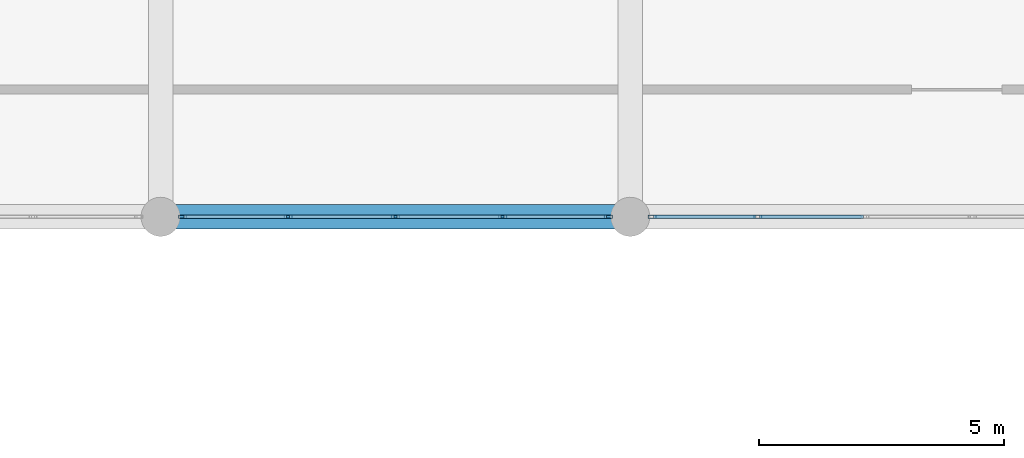
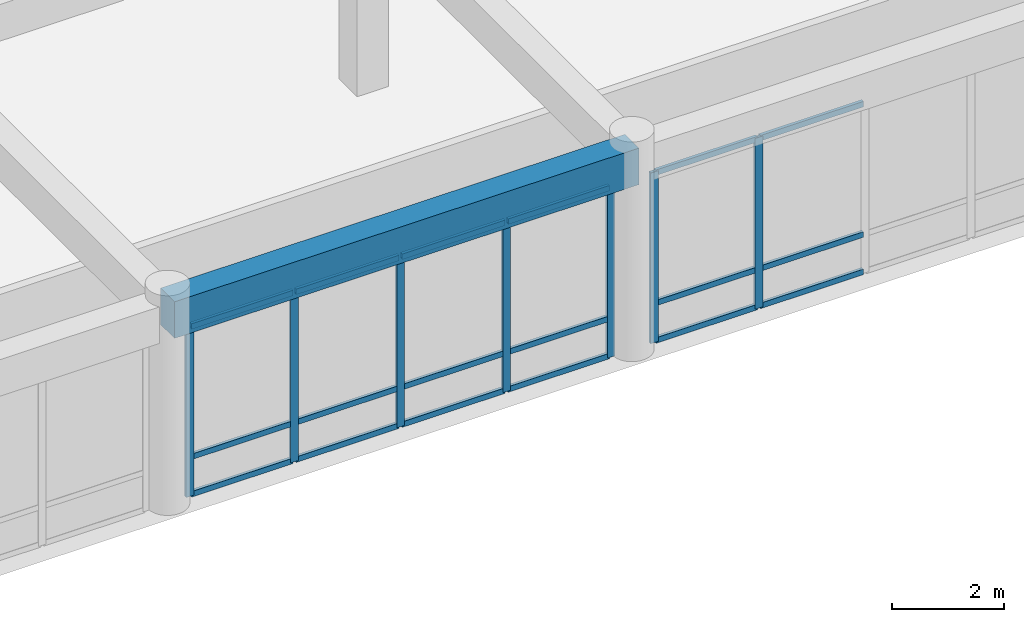
# One storey, part 22 of 101: 25 members, 1 beam, 2 elements without a shape of their own.
"""IFC4 building model written with IfcOpenShell, lengths in metres."""

from ifc_helpers import new_model, si_unit, direction, frame, origin, origin_2d, place, context, subcontext, project, spatial, rectangle, hollow_rectangle, extrude, material, layer, layer_set, material_profile, profile_set, type_object, element, aggregate, save


model = new_model("IFC4")

# Units and contexts
model_context = context("Model", 3, precision=1e-05, world=origin(), true_north=direction((0.0, 1.0)))
body_context = subcontext(model_context, "Body", "Model", "MODEL_VIEW")
ifc_project = project(units=[si_unit("LENGTHUNIT", "METRE"), si_unit("AREAUNIT", "SQUARE_METRE"), si_unit("VOLUMEUNIT", "CUBIC_METRE"), si_unit("PLANEANGLEUNIT", "RADIAN"), si_unit("MASSUNIT", "GRAM", prefix="KILO")], contexts=[model_context])

# Site, building, storey
site_placement = place(None, origin())
site = spatial("IfcSite", under=ifc_project, at=site_placement, CompositionType="ELEMENT")
building_placement = place(site_placement, origin())
building = spatial("IfcBuilding", under=site, at=building_placement, Name="Nakhvara Creek Congress Hotel", CompositionType="ELEMENT")
storey_placement = place(building_placement, frame((0.0, 0.0, 16.199951171875)))
storey = spatial("IfcBuildingStorey", under=building, at=storey_placement, Name="L03", CompositionType="ELEMENT", Elevation=16.199951171875)

# Beam
ifc_material_1 = material(Name="Concrete C40/50", Category="concrete")
ifc_material_profile_1 = material_profile(ifc_material_1, rectangle(XDim=0.5, YDim=0.800048828125, at=origin_2d()), Name="RC-BM 500x800", Category="LoadBearing")
ifc_profile_set_1 = profile_set([ifc_material_profile_1], Name="Concrete C40/50")
beam_type = type_object("IfcBeamType", Name="BM-RC-500X800", PredefinedType="BEAM", material=ifc_profile_set_1)
beam_placement = place(storey_placement, frame((96.0, 76.800048828125, 4.14013671875), z_axis=(1.0, 0.0, 0.0), x_axis=(0.0, 1.0, 0.0)))
element("IfcBeam", 1, at=beam_placement, inside=storey, type_object=beam_type, Name="Beam B03-L03-1733", PredefinedType="BEAM", context=body_context, shape_type="SweptSolid", body=[
    extrude(rectangle(XDim=0.5, YDim=0.800048828125, at=origin_2d()), origin(), (0.0, 0.0, 1.0), 9.60009765625),
])

# Curtain wall, members
ifc_material_2 = material(Name="Bronze-anodised aluminium AW-6063-T6 and double-silver low-E glass", Category="aluminium")
ifc_layer = layer(ifc_material_2, 0.199951171875)
ifc_layer_set = layer_set([ifc_layer], Name="Bronze-anodised aluminium AW-6063-T6 and double-silver low-E glass")
curtain_wall_type = type_object("IfcCurtainWallType", Name="CW-POD-STICK", PredefinedType="NOTDEFINED", material=ifc_layer_set)
curtain_wall_1_placement = place(storey_placement, origin())
curtain_wall_1 = element("IfcCurtainWall", 2, at=curtain_wall_1_placement, inside=storey, type_object=curtain_wall_type, Name="Curtain Wall CW054", PredefinedType="NOTDEFINED")
ifc_material_3 = material(Name="Bronze-anodised aluminium AW-6063-T6", Category="aluminium")
ifc_material_profile_2 = material_profile(ifc_material_3, hollow_rectangle(XDim=0.06494140625, YDim=0.159912109375, WallThickness=0.00390625, at=origin_2d()), Name="ALU-MULL 65x160x4", Category="LoadBearing")
ifc_profile_set_2 = profile_set([ifc_material_profile_2], Name="Bronze-anodised aluminium AW-6063-T6")
member_type_1 = type_object("IfcMemberType", Name="CW-MULL-160", PredefinedType="MULLION", material=ifc_profile_set_2)
member_1_placement = place(storey_placement, frame((105.152587890625, 76.800048828125, 0.0), z_axis=(0.0, 0.0, 1.0), x_axis=(0.0, -1.0, 0.0)))
member_1 = element("IfcMember", 3, at=member_1_placement, type_object=member_type_1, Name="CW054 mullion 1", PredefinedType="MULLION", context=body_context, shape_type="SweptSolid", body=[
    extrude(hollow_rectangle(XDim=0.06494140625, YDim=0.159912109375, WallThickness=0.00390625, at=origin_2d()), origin(), (0.0, 0.0, 1.0), 3.73193359375),
])
member_2_placement = place(storey_placement, frame((102.992431640625, 76.800048828125, 0.0), z_axis=(0.0, 0.0, 1.0), x_axis=(0.0, -1.0, 0.0)))
member_2 = element("IfcMember", 4, at=member_2_placement, type_object=member_type_1, Name="CW054 mullion 2", PredefinedType="MULLION", context=body_context, shape_type="SweptSolid", body=[
    extrude(hollow_rectangle(XDim=0.06494140625, YDim=0.159912109375, WallThickness=0.00390625, at=origin_2d()), origin(), (0.0, 0.0, 1.0), 3.73193359375),
])
member_3_placement = place(storey_placement, frame((100.800048828125, 76.800048828125, 0.0), z_axis=(0.0, 0.0, 1.0), x_axis=(0.0, -1.0, 0.0)))
member_3 = element("IfcMember", 5, at=member_3_placement, type_object=member_type_1, Name="CW054 mullion 3", PredefinedType="MULLION", context=body_context, shape_type="SweptSolid", body=[
    extrude(hollow_rectangle(XDim=0.06494140625, YDim=0.159912109375, WallThickness=0.00390625, at=origin_2d()), origin(), (0.0, 0.0, 1.0), 3.73193359375),
])
member_4_placement = place(storey_placement, frame((98.607421875, 76.800048828125, 0.0), z_axis=(0.0, 0.0, 1.0), x_axis=(0.0, -1.0, 0.0)))
member_4 = element("IfcMember", 6, at=member_4_placement, type_object=member_type_1, Name="CW054 mullion 4", PredefinedType="MULLION", context=body_context, shape_type="SweptSolid", body=[
    extrude(hollow_rectangle(XDim=0.06494140625, YDim=0.159912109375, WallThickness=0.00390625, at=origin_2d()), origin(), (0.0, 0.0, 1.0), 3.73193359375),
])
member_5_placement = place(storey_placement, frame((96.447509765625, 76.800048828125, 0.0), z_axis=(0.0, 0.0, 1.0), x_axis=(0.0, -1.0, 0.0)))
member_5 = element("IfcMember", 7, at=member_5_placement, type_object=member_type_1, Name="CW054 mullion 5", PredefinedType="MULLION", context=body_context, shape_type="SweptSolid", body=[
    extrude(hollow_rectangle(XDim=0.06494140625, YDim=0.159912109375, WallThickness=0.00390625, at=origin_2d()), origin(), (0.0, 0.0, 1.0), 3.73193359375),
])

curtain_wall_2_placement = place(storey_placement, origin())
curtain_wall_2 = element("IfcCurtainWall", 8, at=curtain_wall_2_placement, inside=storey, type_object=curtain_wall_type, Name="Curtain Wall CW056", PredefinedType="NOTDEFINED")
member_6_placement = place(storey_placement, frame((108.20751953125, 76.800048828125, 0.0), z_axis=(0.0, 0.0, 1.0), x_axis=(0.0, -1.0, 0.0)))
member_6 = element("IfcMember", 9, at=member_6_placement, type_object=member_type_1, Name="CW056 mullion 4", PredefinedType="MULLION", context=body_context, shape_type="SweptSolid", body=[
    extrude(hollow_rectangle(XDim=0.06494140625, YDim=0.159912109375, WallThickness=0.00390625, at=origin_2d()), origin(), (0.0, 0.0, 1.0), 3.73193359375),
])
member_7_placement = place(storey_placement, frame((106.047607421875, 76.800048828125, 0.0), z_axis=(0.0, 0.0, 1.0), x_axis=(0.0, -1.0, 0.0)))
member_7 = element("IfcMember", 10, at=member_7_placement, type_object=member_type_1, Name="CW056 mullion 5", PredefinedType="MULLION", context=body_context, shape_type="SweptSolid", body=[
    extrude(hollow_rectangle(XDim=0.06494140625, YDim=0.159912109375, WallThickness=0.00390625, at=origin_2d()), origin(), (0.0, 0.0, 1.0), 3.73193359375),
])

# Member
ifc_material_profile_3 = material_profile(ifc_material_3, hollow_rectangle(XDim=0.06494140625, YDim=0.1201171875, WallThickness=0.00390625, at=origin_2d()), Name="ALU-TRAN 65x120x4", Category="LoadBearing")
ifc_profile_set_3 = profile_set([ifc_material_profile_3], Name="Bronze-anodised aluminium AW-6063-T6")
member_type_2 = type_object("IfcMemberType", Name="CW-TRAN-120", PredefinedType="USERDEFINED", material=ifc_profile_set_3)
member_8_placement = place(storey_placement, frame((105.1201171875, 76.800048828125, 0.032470703125), z_axis=(-1.0, 0.0, 0.0), x_axis=(0.0, -1.0, 0.0)))
member_8 = element("IfcMember", 11, at=member_8_placement, type_object=member_type_2, Name="CW054 transom 1.1", ObjectType="TRANSOM", PredefinedType="USERDEFINED", context=body_context, shape_type="SweptSolid", body=[
    extrude(hollow_rectangle(XDim=0.06494140625, YDim=0.1201171875, WallThickness=0.00390625, at=origin_2d()), origin(), (0.0, 0.0, 1.0), 2.09521484375),
])

member_9_placement = place(storey_placement, frame((105.1201171875, 76.800048828125, 0.85009765625), z_axis=(-1.0, 0.0, 0.0), x_axis=(0.0, -1.0, 0.0)))
member_9 = element("IfcMember", 12, at=member_9_placement, type_object=member_type_2, Name="CW054 transom 1.2", ObjectType="TRANSOM", PredefinedType="USERDEFINED", context=body_context, shape_type="SweptSolid", body=[
    extrude(hollow_rectangle(XDim=0.06494140625, YDim=0.1201171875, WallThickness=0.00390625, at=origin_2d()), origin(), (0.0, 0.0, 1.0), 2.09521484375),
])

member_10_placement = place(storey_placement, frame((105.1201171875, 76.800048828125, 3.699462890625), z_axis=(-1.0, 0.0, 0.0), x_axis=(0.0, -1.0, 0.0)))
member_10 = element("IfcMember", 13, at=member_10_placement, type_object=member_type_2, Name="CW054 transom 1.3", ObjectType="TRANSOM", PredefinedType="USERDEFINED", context=body_context, shape_type="SweptSolid", body=[
    extrude(hollow_rectangle(XDim=0.06494140625, YDim=0.1201171875, WallThickness=0.00390625, at=origin_2d()), origin(), (0.0, 0.0, 1.0), 2.09521484375),
])

member_11_placement = place(storey_placement, frame((102.9599609375, 76.800048828125, 0.032470703125), z_axis=(-1.0, 0.0, 0.0), x_axis=(0.0, -1.0, 0.0)))
member_11 = element("IfcMember", 14, at=member_11_placement, type_object=member_type_2, Name="CW054 transom 2.1", ObjectType="TRANSOM", PredefinedType="USERDEFINED", context=body_context, shape_type="SweptSolid", body=[
    extrude(hollow_rectangle(XDim=0.06494140625, YDim=0.1201171875, WallThickness=0.00390625, at=origin_2d()), origin(), (0.0, 0.0, 1.0), 2.12744140625),
])

member_12_placement = place(storey_placement, frame((102.9599609375, 76.800048828125, 0.85009765625), z_axis=(-1.0, 0.0, 0.0), x_axis=(0.0, -1.0, 0.0)))
member_12 = element("IfcMember", 15, at=member_12_placement, type_object=member_type_2, Name="CW054 transom 2.2", ObjectType="TRANSOM", PredefinedType="USERDEFINED", context=body_context, shape_type="SweptSolid", body=[
    extrude(hollow_rectangle(XDim=0.06494140625, YDim=0.1201171875, WallThickness=0.00390625, at=origin_2d()), origin(), (0.0, 0.0, 1.0), 2.12744140625),
])

member_13_placement = place(storey_placement, frame((102.9599609375, 76.800048828125, 3.699462890625), z_axis=(-1.0, 0.0, 0.0), x_axis=(0.0, -1.0, 0.0)))
member_13 = element("IfcMember", 16, at=member_13_placement, type_object=member_type_2, Name="CW054 transom 2.3", ObjectType="TRANSOM", PredefinedType="USERDEFINED", context=body_context, shape_type="SweptSolid", body=[
    extrude(hollow_rectangle(XDim=0.06494140625, YDim=0.1201171875, WallThickness=0.00390625, at=origin_2d()), origin(), (0.0, 0.0, 1.0), 2.12744140625),
])

member_14_placement = place(storey_placement, frame((100.767578125, 76.800048828125, 0.032470703125), z_axis=(-1.0, 0.0, 0.0), x_axis=(0.0, -1.0, 0.0)))
member_14 = element("IfcMember", 17, at=member_14_placement, type_object=member_type_2, Name="CW054 transom 3.1", ObjectType="TRANSOM", PredefinedType="USERDEFINED", context=body_context, shape_type="SweptSolid", body=[
    extrude(hollow_rectangle(XDim=0.06494140625, YDim=0.1201171875, WallThickness=0.00390625, at=origin_2d()), origin(), (0.0, 0.0, 1.0), 2.127685546875),
])

member_15_placement = place(storey_placement, frame((100.767578125, 76.800048828125, 0.85009765625), z_axis=(-1.0, 0.0, 0.0), x_axis=(0.0, -1.0, 0.0)))
member_15 = element("IfcMember", 18, at=member_15_placement, type_object=member_type_2, Name="CW054 transom 3.2", ObjectType="TRANSOM", PredefinedType="USERDEFINED", context=body_context, shape_type="SweptSolid", body=[
    extrude(hollow_rectangle(XDim=0.06494140625, YDim=0.1201171875, WallThickness=0.00390625, at=origin_2d()), origin(), (0.0, 0.0, 1.0), 2.127685546875),
])

member_16_placement = place(storey_placement, frame((100.767578125, 76.800048828125, 3.699462890625), z_axis=(-1.0, 0.0, 0.0), x_axis=(0.0, -1.0, 0.0)))
member_16 = element("IfcMember", 19, at=member_16_placement, type_object=member_type_2, Name="CW054 transom 3.3", ObjectType="TRANSOM", PredefinedType="USERDEFINED", context=body_context, shape_type="SweptSolid", body=[
    extrude(hollow_rectangle(XDim=0.06494140625, YDim=0.1201171875, WallThickness=0.00390625, at=origin_2d()), origin(), (0.0, 0.0, 1.0), 2.127685546875),
])

member_17_placement = place(storey_placement, frame((98.574951171875, 76.800048828125, 0.032470703125), z_axis=(-1.0, 0.0, 0.0), x_axis=(0.0, -1.0, 0.0)))
member_17 = element("IfcMember", 20, at=member_17_placement, type_object=member_type_2, Name="CW054 transom 4.1", ObjectType="TRANSOM", PredefinedType="USERDEFINED", context=body_context, shape_type="SweptSolid", body=[
    extrude(hollow_rectangle(XDim=0.06494140625, YDim=0.1201171875, WallThickness=0.00390625, at=origin_2d()), origin(), (0.0, 0.0, 1.0), 2.094970703125),
])

member_18_placement = place(storey_placement, frame((98.574951171875, 76.800048828125, 0.85009765625), z_axis=(-1.0, 0.0, 0.0), x_axis=(0.0, -1.0, 0.0)))
member_18 = element("IfcMember", 21, at=member_18_placement, type_object=member_type_2, Name="CW054 transom 4.2", ObjectType="TRANSOM", PredefinedType="USERDEFINED", context=body_context, shape_type="SweptSolid", body=[
    extrude(hollow_rectangle(XDim=0.06494140625, YDim=0.1201171875, WallThickness=0.00390625, at=origin_2d()), origin(), (0.0, 0.0, 1.0), 2.094970703125),
])

member_19_placement = place(storey_placement, frame((98.574951171875, 76.800048828125, 3.699462890625), z_axis=(-1.0, 0.0, 0.0), x_axis=(0.0, -1.0, 0.0)))
member_19 = element("IfcMember", 22, at=member_19_placement, type_object=member_type_2, Name="CW054 transom 4.3", ObjectType="TRANSOM", PredefinedType="USERDEFINED", context=body_context, shape_type="SweptSolid", body=[
    extrude(hollow_rectangle(XDim=0.06494140625, YDim=0.1201171875, WallThickness=0.00390625, at=origin_2d()), origin(), (0.0, 0.0, 1.0), 2.094970703125),
])

aggregate(curtain_wall_1, [member_1, member_2, member_3, member_4, member_5, member_8, member_9, member_10, member_11, member_12, member_13, member_14, member_15, member_16, member_17, member_18, member_19])

member_20_placement = place(storey_placement, frame((110.367431640625, 76.800048828125, 0.032470703125), z_axis=(-1.0, 0.0, 0.0), x_axis=(0.0, -1.0, 0.0)))
member_20 = element("IfcMember", 23, at=member_20_placement, type_object=member_type_2, Name="CW056 transom 3.1", ObjectType="TRANSOM", PredefinedType="USERDEFINED", context=body_context, shape_type="SweptSolid", body=[
    extrude(hollow_rectangle(XDim=0.06494140625, YDim=0.1201171875, WallThickness=0.00390625, at=origin_2d()), origin(), (0.0, 0.0, 1.0), 2.12744140625),
])

member_21_placement = place(storey_placement, frame((110.367431640625, 76.800048828125, 0.85009765625), z_axis=(-1.0, 0.0, 0.0), x_axis=(0.0, -1.0, 0.0)))
member_21 = element("IfcMember", 24, at=member_21_placement, type_object=member_type_2, Name="CW056 transom 3.2", ObjectType="TRANSOM", PredefinedType="USERDEFINED", context=body_context, shape_type="SweptSolid", body=[
    extrude(hollow_rectangle(XDim=0.06494140625, YDim=0.1201171875, WallThickness=0.00390625, at=origin_2d()), origin(), (0.0, 0.0, 1.0), 2.12744140625),
])

member_22_placement = place(storey_placement, frame((110.367431640625, 76.800048828125, 3.699462890625), z_axis=(-1.0, 0.0, 0.0), x_axis=(0.0, -1.0, 0.0)))
member_22 = element("IfcMember", 25, at=member_22_placement, type_object=member_type_2, Name="CW056 transom 3.3", ObjectType="TRANSOM", PredefinedType="USERDEFINED", context=body_context, shape_type="SweptSolid", body=[
    extrude(hollow_rectangle(XDim=0.06494140625, YDim=0.1201171875, WallThickness=0.00390625, at=origin_2d()), origin(), (0.0, 0.0, 1.0), 2.12744140625),
])

member_23_placement = place(storey_placement, frame((108.175048828125, 76.800048828125, 0.032470703125), z_axis=(-1.0, 0.0, 0.0), x_axis=(0.0, -1.0, 0.0)))
member_23 = element("IfcMember", 26, at=member_23_placement, type_object=member_type_2, Name="CW056 transom 4.1", ObjectType="TRANSOM", PredefinedType="USERDEFINED", context=body_context, shape_type="SweptSolid", body=[
    extrude(hollow_rectangle(XDim=0.06494140625, YDim=0.1201171875, WallThickness=0.00390625, at=origin_2d()), origin(), (0.0, 0.0, 1.0), 2.094970703125),
])

member_24_placement = place(storey_placement, frame((108.175048828125, 76.800048828125, 0.85009765625), z_axis=(-1.0, 0.0, 0.0), x_axis=(0.0, -1.0, 0.0)))
member_24 = element("IfcMember", 27, at=member_24_placement, type_object=member_type_2, Name="CW056 transom 4.2", ObjectType="TRANSOM", PredefinedType="USERDEFINED", context=body_context, shape_type="SweptSolid", body=[
    extrude(hollow_rectangle(XDim=0.06494140625, YDim=0.1201171875, WallThickness=0.00390625, at=origin_2d()), origin(), (0.0, 0.0, 1.0), 2.094970703125),
])

member_25_placement = place(storey_placement, frame((108.175048828125, 76.800048828125, 3.699462890625), z_axis=(-1.0, 0.0, 0.0), x_axis=(0.0, -1.0, 0.0)))
member_25 = element("IfcMember", 28, at=member_25_placement, type_object=member_type_2, Name="CW056 transom 4.3", ObjectType="TRANSOM", PredefinedType="USERDEFINED", context=body_context, shape_type="SweptSolid", body=[
    extrude(hollow_rectangle(XDim=0.06494140625, YDim=0.1201171875, WallThickness=0.00390625, at=origin_2d()), origin(), (0.0, 0.0, 1.0), 2.094970703125),
])

aggregate(curtain_wall_2, [member_6, member_7, member_20, member_21, member_22, member_23, member_24, member_25])

save(model, "model.ifc")
